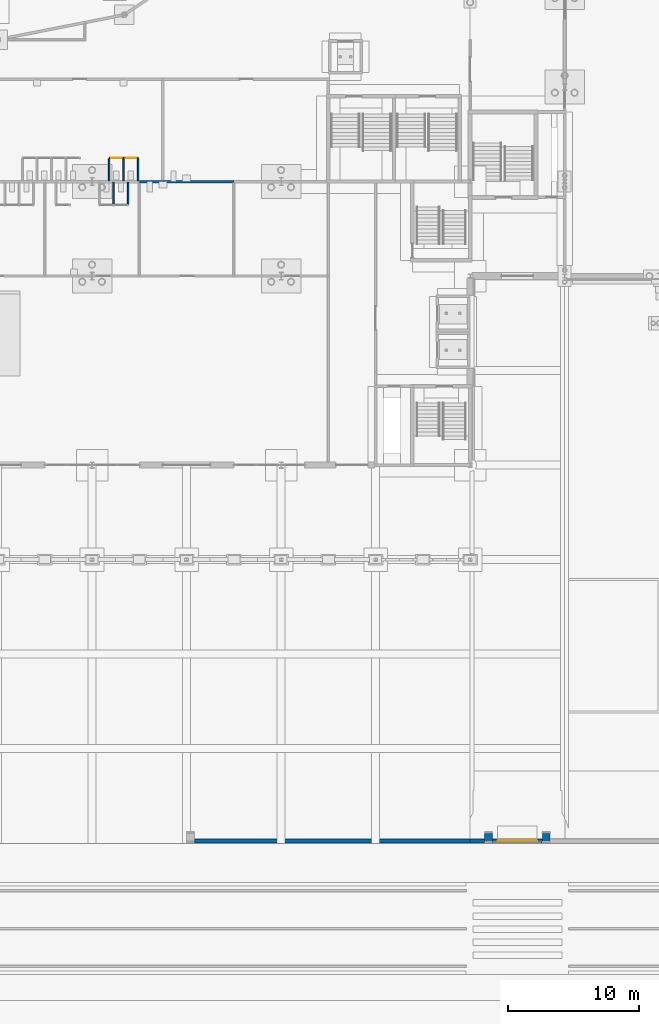
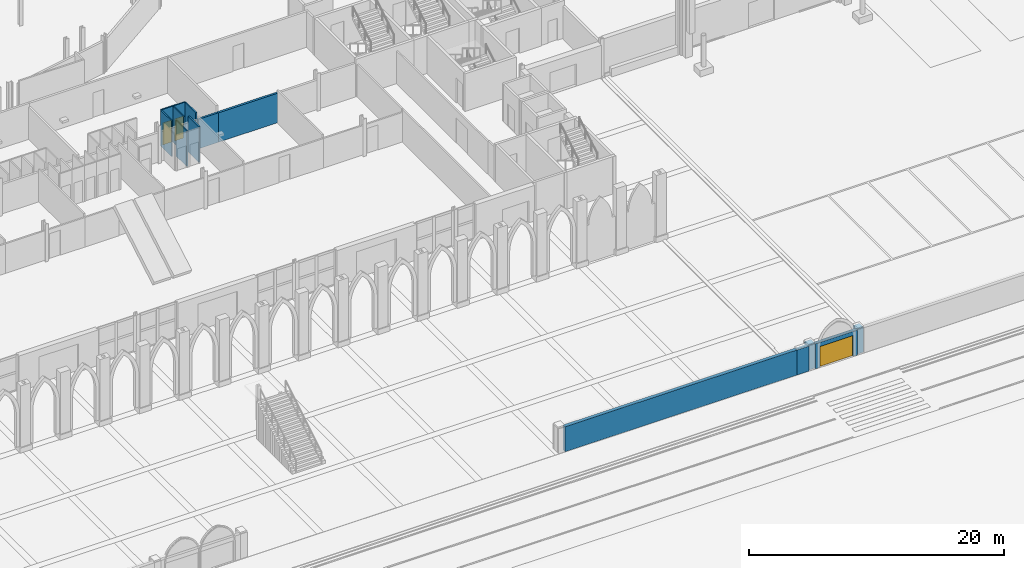
# One storey, part 78 of 148: 14 walls, 3 doors, 3 openings.
"""IFC4 building model written with IfcOpenShell, lengths in metres."""

from ifc_helpers import new_model, si_unit, direction, frame, frame_2d, origin, place, context, subcontext, project, spatial, rectangle, extrude, material, layer, layer_set, type_object, element, fill, save


model = new_model("IFC4")

# Units and contexts
model_context = context("Model", 3, precision=1e-05, world=origin(), true_north=direction((0.0, 1.0)))
body_context = subcontext(model_context, "Body", "Model", "MODEL_VIEW")
ifc_project = project(units=[si_unit("LENGTHUNIT", "METRE"), si_unit("AREAUNIT", "SQUARE_METRE"), si_unit("VOLUMEUNIT", "CUBIC_METRE"), si_unit("PLANEANGLEUNIT", "RADIAN"), si_unit("MASSUNIT", "GRAM", prefix="KILO")], contexts=[model_context])

# Site, building, storey
site_placement = place(None, origin())
site = spatial("IfcSite", under=ifc_project, at=site_placement, CompositionType="ELEMENT")
building_placement = place(site_placement, origin())
building = spatial("IfcBuilding", under=site, at=building_placement, Name="Kupolbacken Congress Centre", CompositionType="ELEMENT")
storey_placement = place(building_placement, origin())
storey = spatial("IfcBuildingStorey", under=building, at=storey_placement, Name="L00", CompositionType="ELEMENT", Elevation=0.0)

# Walls
ifc_material_1 = material(Name="Brick", Category="masonry")
ifc_layer_1 = layer(ifc_material_1, 0.10791015625)
ifc_material_2 = material(Name="Concrete block", Category="masonry")
ifc_layer_2 = layer(ifc_material_2, 0.19189453125)
ifc_layer_set_1 = layer_set([ifc_layer_1, ifc_layer_2], Name="Brick / Concrete block")
wall_type_1 = type_object("IfcWallType", Name="BW1 boundary wall 300", PredefinedType="SOLIDWALL", material=ifc_layer_set_1)
wall_1_placement = place(storey_placement, frame((58.199951171875, 0.175048828125, 0.0), z_axis=(0.0, 0.0, 1.0), x_axis=(1.0, 0.0, 0.0)))
element("IfcWall", 1, at=wall_1_placement, inside=storey, type_object=wall_type_1, Name="Boundary wall lower-west 02", PredefinedType="SOLIDWALL", context=body_context, shape_type="SweptSolid", body=[
    extrude(rectangle(XDim=21.0, YDim=0.300048828125, at=frame_2d((10.5, 0.0))), origin(), (0.0, 0.0, 1.0), 2.39990234375),
])
wall_2_placement = place(storey_placement, frame((79.199951171875, 0.175048828125, 0.0), z_axis=(0.0, 0.0, 1.0), x_axis=(1.0, 0.0, 0.0)))
element("IfcWall", 2, at=wall_2_placement, inside=storey, type_object=wall_type_1, Name="Boundary wall lower-yard 03", PredefinedType="SOLIDWALL", context=body_context, shape_type="SweptSolid", body=[
    extrude(rectangle(XDim=1.10009765625, YDim=0.300048828125, at=frame_2d((0.550048828125, 0.0))), origin(), (0.0, 0.0, 1.0), 2.39990234375),
])

# Wall, opening, door
wall_3_placement = place(storey_placement, frame((80.89990234375, 0.175048828125, 0.0), z_axis=(0.0, 0.0, 1.0), x_axis=(1.0, 0.0, 0.0)))
wall_3 = element("IfcWall", 3, at=wall_3_placement, inside=storey, type_object=wall_type_1, Name="Boundary wall at gate PG1", PredefinedType="SOLIDWALL", context=body_context, shape_type="SweptSolid", body=[
    extrude(rectangle(XDim=3.800048828125, YDim=0.300048828125, at=frame_2d((1.89990234375, 0.0))), origin(), (0.0, 0.0, 1.0), 2.39990234375),
])
opening_1_placement = place(wall_3_placement, frame((0.39990234375, 0.0, 0.0)))
opening_1 = element("IfcOpeningElement", 4, at=opening_1_placement, cuts=wall_3, Name="Opening D42", PredefinedType="OPENING", context=body_context, shape_type="SweptSolid", body=[
    extrude(rectangle(XDim=3.0, YDim=2.0, at=frame_2d((1.5, 1.0))), frame((0.0, 0.159912109375, 0.0), z_axis=(0.0, -1.0, 0.0), x_axis=(1.0, 0.0, 0.0)), (0.0, 0.0, 1.0), 0.320068359375),
])
ifc_material_3 = material(Name="Galvanised steel gate", Category="steel")
door_type_1 = type_object("IfcDoorType", Name="D42 pedestrian gate 3000x2000", OperationType="DOUBLE_DOOR_SINGLE_SWING", PredefinedType="GATE", material=ifc_material_3)
door_1_placement = place(opening_1_placement, frame((3.0, 0.0, 0.0), z_axis=(0.0, 0.0, 1.0), x_axis=(-1.0, 0.0, 0.0)))
door_1 = element("IfcDoor", 5, at=door_1_placement, inside=storey, type_object=door_type_1, Name="Boundary pedestrian gate PG1", OperationType="DOUBLE_DOOR_SINGLE_SWING", OverallHeight=2.0, OverallWidth=3.0, PredefinedType="GATE", context=body_context, shape_type="SweptSolid", body=[
    extrude(rectangle(XDim=3.0, YDim=2.0, at=frame_2d((1.5, 1.0))), frame((0.0, 0.02490234375, 0.0), z_axis=(0.0, -1.0, 0.0), x_axis=(1.0, 0.0, 0.0)), (0.0, 0.0, 1.0), 0.050048828125),
])
fill(opening_1, door_1)

# Walls
ifc_layer_3 = layer(ifc_material_1, 0.10791015625)
ifc_layer_4 = layer(ifc_material_2, 0.491943359375)
ifc_layer_set_2 = layer_set([ifc_layer_3, ifc_layer_4], Name="Brick / Concrete block")
wall_type_2 = type_object("IfcWallType", Name="GP1 gate pier 600", PredefinedType="SOLIDWALL", material=ifc_layer_set_2)
wall_4_placement = place(storey_placement, frame((80.89990234375, 0.445068359375, 0.0), z_axis=(0.0, 0.0, 1.0), x_axis=(-1.0, 0.0, 0.0)))
element("IfcWall", 6, at=wall_4_placement, inside=storey, type_object=wall_type_2, Name="Boundary gate pier 4", PredefinedType="SOLIDWALL", context=body_context, shape_type="SweptSolid", body=[
    extrude(rectangle(XDim=0.599853515625, YDim=0.60009765625, at=frame_2d((0.2998046875, 0.0))), origin(), (0.0, 0.0, 1.0), 2.39990234375),
])
wall_5_placement = place(storey_placement, frame((84.699951171875, 0.445068359375, 0.0), z_axis=(0.0, 0.0, 1.0), x_axis=(1.0, 0.0, 0.0)))
element("IfcWall", 7, at=wall_5_placement, inside=storey, type_object=wall_type_2, Name="Boundary gate pier 5", PredefinedType="SOLIDWALL", context=body_context, shape_type="SweptSolid", body=[
    extrude(rectangle(XDim=0.60009765625, YDim=0.60009765625, at=frame_2d((0.300048828125, 0.0))), origin(), (0.0, 0.0, 1.0), 2.39990234375),
])
ifc_material_4 = material(Name="Gypsum board", Category="drywall")
ifc_layer_5 = layer(ifc_material_4, 0.114990234375)
ifc_layer_set_3 = layer_set([ifc_layer_5], Name="Gypsum board")
wall_type_3 = type_object("IfcWallType", Name="P04 partition 115", PredefinedType="PARTITIONING", material=ifc_layer_set_3)
for number, where, z_axis, x_axis, name in (
    (8, (52.050048828125, 50.342529296875, 0.0), (0.0, 0.0, 1.0), (0.0, -1.0, 0.0), "PD/L00/F-20/cub05/a"),
    (9, (53.14990234375, 50.342529296875, 0.0), (0.0, 0.0, 1.0), (0.0, -1.0, 0.0), "PD/L00/F-20/cub05/b"),
):
    element("IfcWall", number, at=place(storey_placement, frame(where, z_axis=z_axis, x_axis=x_axis)), inside=storey, type_object=wall_type_3, Name=name, PredefinedType="PARTITIONING", context=body_context, shape_type="SweptSolid", body=[
        extrude(rectangle(XDim=1.68505859375, YDim=0.114990234375, at=frame_2d((0.842529296875, 0.0))), origin(), (0.0, 0.0, 1.0), 3.419921875),
    ])

# Wall, opening, door
wall_6_placement = place(storey_placement, frame((51.699951171875, 52.199951171875, 0.0), z_axis=(0.0, 0.0, 1.0), x_axis=(1.0, 0.0, 0.0)))
wall_6 = element("IfcWall", 10, at=wall_6_placement, inside=storey, type_object=wall_type_3, Name="PD/L00/P-30-11/cub07/F", PredefinedType="PARTITIONING", context=body_context, shape_type="SweptSolid", body=[
    extrude(rectangle(XDim=1.10009765625, YDim=0.114990234375, at=frame_2d((0.550048828125, 0.0))), origin(), (0.0, 0.0, 1.0), 3.419921875),
])
opening_2_placement = place(wall_6_placement, frame((0.14990234375, 0.0, 0.0)))
opening_2 = element("IfcOpeningElement", 11, at=opening_2_placement, cuts=wall_6, Name="Opening 0.WP19", PredefinedType="OPENING", context=body_context, shape_type="SweptSolid", body=[
    extrude(rectangle(XDim=0.800048828125, YDim=2.10009765625, at=frame_2d((0.39990234375, 1.050048828125))), frame((0.0, 0.0673828125, 0.0), z_axis=(0.0, -1.0, 0.0), x_axis=(1.0, 0.0, 0.0)), (0.0, 0.0, 1.0), 0.135009765625),
])
ifc_material_5 = material(Name="Timber door leaf", Category="wood")
door_type_2 = type_object("IfcDoorType", Name="D2 door 800x2100", OperationType="SINGLE_SWING_LEFT", PredefinedType="DOOR", material=ifc_material_5)
door_2_placement = place(opening_2_placement, origin())
door_2 = element("IfcDoor", 12, at=door_2_placement, inside=storey, type_object=door_type_2, Name="PD/L00/P-30-11/cub07/F/DC", OperationType="SINGLE_SWING_LEFT", OverallHeight=2.10009765625, OverallWidth=0.800048828125, PredefinedType="DOOR", context=body_context, shape_type="SweptSolid", body=[
    extrude(rectangle(XDim=0.800048828125, YDim=2.10009765625, at=frame_2d((0.39990234375, 1.050048828125))), frame((0.0, 0.02490234375, 0.0), z_axis=(0.0, -1.0, 0.0), x_axis=(1.0, 0.0, 0.0)), (0.0, 0.0, 1.0), 0.050048828125),
])
fill(opening_2, door_2)

# Wall
wall_7_placement = place(storey_placement, frame((51.699951171875, 50.45751953125, 0.0), z_axis=(0.0, 0.0, 1.0), x_axis=(0.0, 1.0, 0.0)))
element("IfcWall", 13, at=wall_7_placement, inside=storey, type_object=wall_type_3, Name="PD/L00/P-30-11/cub07/a", PredefinedType="PARTITIONING", context=body_context, shape_type="SweptSolid", body=[
    extrude(rectangle(XDim=1.68505859375, YDim=0.114990234375, at=frame_2d((0.842529296875, 0.0))), origin(), (0.0, 0.0, 1.0), 3.419921875),
])

# Wall, opening, door
wall_8_placement = place(storey_placement, frame((52.800048828125, 52.199951171875, 0.0), z_axis=(0.0, 0.0, 1.0), x_axis=(1.0, 0.0, 0.0)))
wall_8 = element("IfcWall", 14, at=wall_8_placement, inside=storey, type_object=wall_type_3, Name="PD/L00/P-30-11/cub08/F", PredefinedType="PARTITIONING", context=body_context, shape_type="SweptSolid", body=[
    extrude(rectangle(XDim=1.099853515625, YDim=0.114990234375, at=frame_2d((0.5498046875, 0.0))), origin(), (0.0, 0.0, 1.0), 3.419921875),
])
opening_3_placement = place(wall_8_placement, frame((0.14990234375, 0.0, 0.0)))
opening_3 = element("IfcOpeningElement", 15, at=opening_3_placement, cuts=wall_8, Name="Opening 0.WP20", PredefinedType="OPENING", context=body_context, shape_type="SweptSolid", body=[
    extrude(rectangle(XDim=0.800048828125, YDim=2.10009765625, at=frame_2d((0.39990234375, 1.050048828125))), frame((0.0, 0.0673828125, 0.0), z_axis=(0.0, -1.0, 0.0), x_axis=(1.0, 0.0, 0.0)), (0.0, 0.0, 1.0), 0.135009765625),
])
door_3_placement = place(opening_3_placement, origin())
door_3 = element("IfcDoor", 16, at=door_3_placement, inside=storey, type_object=door_type_2, Name="PD/L00/P-30-11/cub08/F/DC", OperationType="SINGLE_SWING_LEFT", OverallHeight=2.10009765625, OverallWidth=0.800048828125, PredefinedType="DOOR", context=body_context, shape_type="SweptSolid", body=[
    extrude(rectangle(XDim=0.800048828125, YDim=2.10009765625, at=frame_2d((0.39990234375, 1.050048828125))), frame((0.0, 0.02490234375, 0.0), z_axis=(0.0, -1.0, 0.0), x_axis=(1.0, 0.0, 0.0)), (0.0, 0.0, 1.0), 0.050048828125),
])
fill(opening_3, door_3)

# Walls
for number, where, z_axis, x_axis, name in (
    (17, (52.800048828125, 50.45751953125, 0.0), (0.0, 0.0, 1.0), (0.0, 1.0, 0.0), "PD/L00/P-30-11/cub08/a"),
    (18, (53.89990234375, 50.45751953125, 0.0), (0.0, 0.0, 1.0), (0.0, 1.0, 0.0), "PD/L00/P-30-11/cub08/b"),
):
    element("IfcWall", number, at=place(storey_placement, frame(where, z_axis=z_axis, x_axis=x_axis)), inside=storey, type_object=wall_type_3, Name=name, PredefinedType="PARTITIONING", context=body_context, shape_type="SweptSolid", body=[
        extrude(rectangle(XDim=1.68505859375, YDim=0.114990234375, at=frame_2d((0.842529296875, 0.0))), origin(), (0.0, 0.0, 1.0), 3.419921875),
    ])
ifc_material_6 = material(Name="Gypsum board", Category="drywall")
ifc_layer_6 = layer(ifc_material_6, 0.18994140625)
ifc_layer_set_4 = layer_set([ifc_layer_6], Name="Gypsum board")
wall_type_4 = type_object("IfcWallType", Name="P10 partition 190", PredefinedType="PARTITIONING", material=ifc_layer_set_4)
wall_9_placement = place(storey_placement, frame((54.0, 50.39990234375, 0.0), z_axis=(0.0, 0.0, 1.0), x_axis=(1.0, 0.0, 0.0)))
element("IfcWall", 19, at=wall_9_placement, inside=storey, type_object=wall_type_4, Name="PD/L00/W053", PredefinedType="PARTITIONING", context=body_context, shape_type="SweptSolid", body=[
    extrude(rectangle(XDim=1.800048828125, YDim=0.18994140625, at=frame_2d((0.89990234375, 0.0))), origin(), (0.0, 0.0, 1.0), 2.820068359375),
])
wall_10_placement = place(storey_placement, frame((55.800048828125, 50.39990234375, 0.0), z_axis=(0.0, 0.0, 1.0), x_axis=(1.0, 0.0, 0.0)))
element("IfcWall", 20, at=wall_10_placement, inside=storey, type_object=wall_type_4, Name="PD/L00/W054", PredefinedType="PARTITIONING", context=body_context, shape_type="SweptSolid", body=[
    extrude(rectangle(XDim=5.39990234375, YDim=0.18994140625, at=frame_2d((2.699951171875, 0.0))), origin(), (0.0, 0.0, 1.0), 2.820068359375),
])

save(model, "model.ifc")
